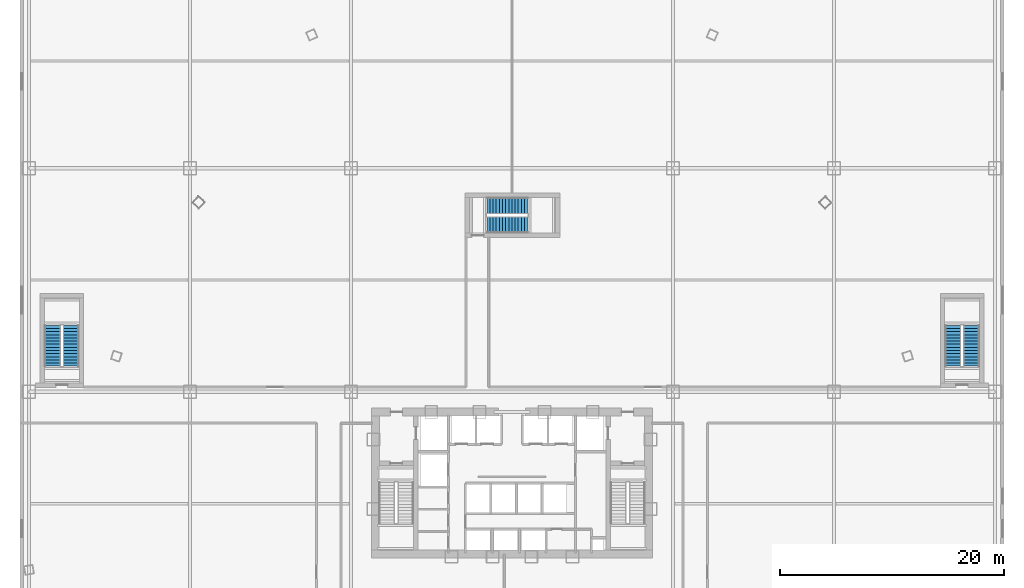
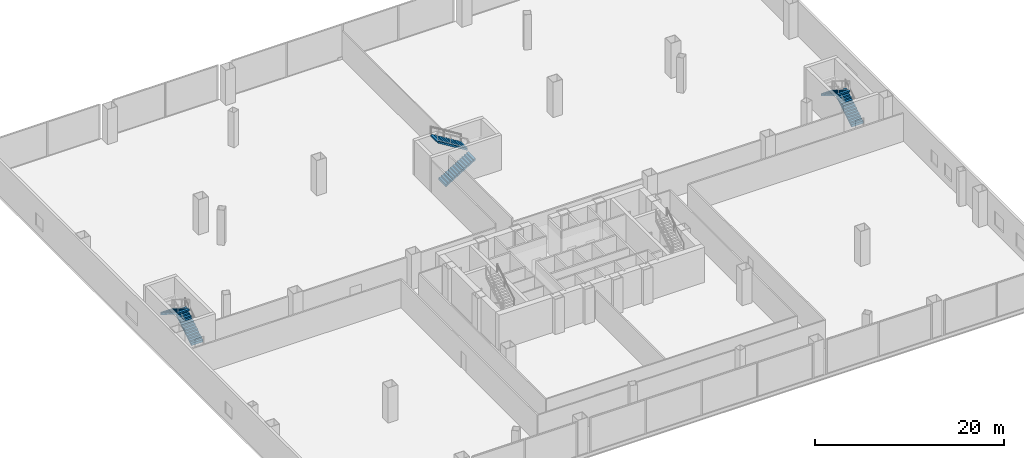
# One storey, part 36 of 40: 6 stair flights, 3 elements without a shape of their own.
"""IFC4 building model written with IfcOpenShell, lengths in metres."""

import ifcopenshell
import ifcopenshell.guid

model = None  # the IFC model being written
_history = None  # IfcOwnerHistory: only IFC2X3 demands one
_inside = {}  # id of a spatial element -> (the spatial element, [elements in it])
_under = {}  # id of a project, library or spatial element -> (it, [spatial elements below it])
_declared = {}  # id of a project -> (the project, [libraries it declares])
_typed = {}  # id of a type object -> (the type object, [elements of that type])
_made_of = {}  # id of a material, layer set ... -> (it, [elements and type objects made of it])


def new_model(schema):
    """Start an empty IFC model of exactly this schema.

    Asked for "IFC4X3", IfcOpenShell would pick the latest addendum, in which some entities
    have other attributes; the version numbers below select the first issue.
    IFC2X3 requires an IfcOwnerHistory on every rooted entity: one is made here for all.
    """
    global model, _history
    if schema == "IFC4X3":
        model = ifcopenshell.file(schema_version=(4, 3, 0, 0))
    else:
        model = ifcopenshell.file(schema=schema)
    _inside.clear()
    _under.clear()
    _declared.clear()
    _typed.clear()
    _made_of.clear()
    _history = None
    if model.schema == "IFC2X3":
        org = make("IfcOrganization", Name="unknown")
        user = make(
            "IfcPersonAndOrganization",
            ThePerson=make("IfcPerson", FamilyName="unknown"),
            TheOrganization=org,
        )
        app = make(
            "IfcApplication",
            ApplicationDeveloper=org,
            Version="unknown",
            ApplicationFullName="unknown",
            ApplicationIdentifier="unknown",
        )
        _history = make(
            "IfcOwnerHistory",
            OwningUser=user,
            OwningApplication=app,
            ChangeAction="ADDED",
            CreationDate=0,
        )
    return model


def make(cls, **values):
    """One entity of the class cls with the attributes given. An attribute that is None is left unset."""
    return model.create_entity(
        cls, **{name: value for name, value in values.items() if value is not None}
    )


def rooted(cls, **values):
    """An entity with a GlobalId (a new one), such as an element, a storey or a relation."""
    return make(cls, GlobalId=ifcopenshell.guid.new(), OwnerHistory=_history, **values)


def si_unit(unit_type, name, prefix=None):
    """IfcSIUnit, for example si_unit("LENGTHUNIT", "METRE", prefix="MILLI")."""
    return make("IfcSIUnit", UnitType=unit_type, Prefix=prefix, Name=name)


def assignment(units):
    """IfcUnitAssignment: the units of a project."""
    return None if units is None else make("IfcUnitAssignment", Units=units)


def point(xyz):
    """IfcCartesianPoint."""
    return None if xyz is None else make("IfcCartesianPoint", Coordinates=xyz)


def direction(xyz):
    """IfcDirection."""
    return None if xyz is None else make("IfcDirection", DirectionRatios=xyz)


def frame(location, z_axis=None, x_axis=None):
    """IfcAxis2Placement3D, a coordinate frame: its origin and axes. An axis left out is left unset."""
    return make(
        "IfcAxis2Placement3D",
        Location=point(location),
        Axis=direction(z_axis),
        RefDirection=direction(x_axis),
    )


def origin():
    """The frame at (0, 0, 0) with its axes left unset."""
    return frame((0.0, 0.0, 0.0))


def place(relative_to, where):
    """IfcLocalPlacement: puts the frame where relative to a parent placement (None: the world)."""
    return make(
        "IfcLocalPlacement", PlacementRelTo=relative_to, RelativePlacement=where
    )


def context(
    kind, dimensions, precision=None, world=None, true_north=None, identifier=None
):
    """IfcGeometricRepresentationContext, for example the 3D "Model" context."""
    return make(
        "IfcGeometricRepresentationContext",
        ContextIdentifier=identifier,
        ContextType=kind,
        CoordinateSpaceDimension=dimensions,
        Precision=precision,
        WorldCoordinateSystem=world,
        TrueNorth=true_north,
    )


def subcontext(parent, identifier, kind, view, scale=None):
    """IfcGeometricRepresentationSubContext, for example "Body" below "Model"."""
    return make(
        "IfcGeometricRepresentationSubContext",
        ContextIdentifier=identifier,
        ContextType=kind,
        ParentContext=parent,
        TargetScale=scale,
        TargetView=view,
    )


def project(units=None, contexts=None):
    """IfcProject with its units and contexts."""
    return rooted(
        "IfcProject",
        Name="project",
        RepresentationContexts=contexts,
        UnitsInContext=assignment(units),
    )


def spatial(cls, under=None, at=None, **own):
    """A site, building, storey or space (cls), placed at a placement, below another one or the project."""
    s = rooted(cls, ObjectPlacement=at, **own)
    if under is not None:
        _under.setdefault(under.id(), (under, []))[1].append(s)
    return s


def polyline(points):
    """IfcPolyline through the points."""
    return make("IfcPolyline", Points=[point(p) for p in points])


def outline(outer, holes=None, kind="AREA"):
    """IfcArbitraryClosedProfileDef: a profile drawn as a closed curve; with holes, ...WithVoids."""
    if holes is None:
        return make("IfcArbitraryClosedProfileDef", ProfileType=kind, OuterCurve=outer)
    return make(
        "IfcArbitraryProfileDefWithVoids",
        ProfileType=kind,
        OuterCurve=outer,
        InnerCurves=holes,
    )


def extrude(swept, where, along, depth):
    """IfcExtrudedAreaSolid: the profile swept, set in the frame where, extruded along a direction by depth."""
    return make(
        "IfcExtrudedAreaSolid",
        SweptArea=swept,
        Position=where,
        ExtrudedDirection=direction(along),
        Depth=depth,
    )


def shape(context_of_items, identifier, shape_type, items):
    """IfcShapeRepresentation: the items that make up one representation, for example the "Body"."""
    return make(
        "IfcShapeRepresentation",
        ContextOfItems=context_of_items,
        RepresentationIdentifier=identifier,
        RepresentationType=shape_type,
        Items=items,
    )


def source(mapping_origin, context_of_items, identifier, shape_type, items):
    """IfcRepresentationMap: a shape defined once, which mapped items show again and again."""
    return make(
        "IfcRepresentationMap",
        MappingOrigin=mapping_origin,
        MappedRepresentation=shape(context_of_items, identifier, shape_type, items),
    )


def transform(
    local_origin,
    x_axis=None,
    y_axis=None,
    z_axis=None,
    scale=None,
    scale2=None,
    scale3=None,
    uniform=True,
):
    """IfcCartesianTransformationOperator3D, or its non-uniform kind. x_axis, y_axis, z_axis: its Axis1, 2, 3."""
    if uniform:
        return make(
            "IfcCartesianTransformationOperator3D",
            Axis1=direction(x_axis),
            Axis2=direction(y_axis),
            LocalOrigin=point(local_origin),
            Scale=scale,
            Axis3=direction(z_axis),
        )
    return make(
        "IfcCartesianTransformationOperator3DnonUniform",
        Axis1=direction(x_axis),
        Axis2=direction(y_axis),
        LocalOrigin=point(local_origin),
        Scale=scale,
        Axis3=direction(z_axis),
        Scale2=scale2,
        Scale3=scale3,
    )


def mapped(mapping_source, mapping_target):
    """IfcMappedItem: shows the shape of a source again, moved by a transform."""
    return make(
        "IfcMappedItem", MappingSource=mapping_source, MappingTarget=mapping_target
    )


def material(Name=None, Category=None):
    """IfcMaterial."""
    return make("IfcMaterial", Name=Name, Category=Category)


def made_of(thing, what):
    """Note that an element or type object is made of a material, layer set ...; save() writes the relation."""
    if what is not None:
        _made_of.setdefault(what.id(), (what, []))[1].append(thing)
    return thing


def type_object(cls, material=None, **own):
    """A type object (cls), such as IfcWallType, which elements share."""
    return made_of(rooted(cls, **own), material)


def element(
    cls,
    number,
    at=None,
    inside=None,
    cuts=None,
    type_object=None,
    material=None,
    context=None,
    identifier="Body",
    shape_type=None,
    held_by="IfcProductDefinitionShape",
    body=None,
    shapes=None,
    **own,
):
    """One element of the class cls, such as IfcWall. Its Tag is "e" and its number.

    at: its placement. inside: the storey or other place that contains it. cuts: it is an
    opening in that element (IfcRelVoidsElement). A single representation is given by context,
    identifier, shape_type and body (its items); several are given by shapes. held_by: the class
    of the entity that holds the representations. save() writes the other relations.
    """
    e = rooted(cls, Tag="e%d" % number, ObjectPlacement=at, **own)
    if body is not None:
        shapes = [shape(context, identifier, shape_type, body)]
    if shapes is not None:
        e.Representation = make(held_by, Representations=shapes)
    if inside is not None:
        _inside.setdefault(inside.id(), (inside, []))[1].append(e)
    if cuts is not None:
        rooted(
            "IfcRelVoidsElement", RelatingBuildingElement=cuts, RelatedOpeningElement=e
        )
    if type_object is not None:
        _typed.setdefault(type_object.id(), (type_object, []))[1].append(e)
    return made_of(e, material)


def aggregate(whole, parts):
    """IfcRelAggregates: a whole, such as a stair, and the parts it consists of."""
    return rooted("IfcRelAggregates", RelatingObject=whole, RelatedObjects=parts)


def save(model, path):
    """Write the relations noted so far, then the file.

    IfcRelAggregates (storeys below a building ...), IfcRelContainedInSpatialStructure (elements
    in a storey), IfcRelDefinesByType, IfcRelAssociatesMaterial and IfcRelDeclares: one each for
    every whole, place, type object, material and project.
    """
    for whole, parts in _under.values():
        aggregate(whole, parts)
    for where, things in _inside.values():
        rooted(
            "IfcRelContainedInSpatialStructure",
            RelatedElements=things,
            RelatingStructure=where,
        )
    for kind, things in _typed.values():
        rooted("IfcRelDefinesByType", RelatedObjects=things, RelatingType=kind)
    for what, things in _made_of.values():
        rooted("IfcRelAssociatesMaterial", RelatedObjects=things, RelatingMaterial=what)
    for by, libraries in _declared.values():
        rooted("IfcRelDeclares", RelatingContext=by, RelatedDefinitions=libraries)
    model.write(path)


model = new_model("IFC4")

# Units and contexts
model_context = context("Model", 3, precision=1e-05, world=origin(), true_north=direction((0.0, 1.0)))
body_context = subcontext(model_context, "Body", "Model", "MODEL_VIEW")
ifc_project = project(units=[si_unit("LENGTHUNIT", "METRE"), si_unit("AREAUNIT", "SQUARE_METRE"), si_unit("VOLUMEUNIT", "CUBIC_METRE"), si_unit("PLANEANGLEUNIT", "RADIAN"), si_unit("MASSUNIT", "GRAM", prefix="KILO"), si_unit("THERMODYNAMICTEMPERATUREUNIT", "KELVIN"), si_unit("POWERUNIT", "WATT")], contexts=[model_context])

# Site, building, storey
site_placement = place(None, origin())
site = spatial("IfcSite", under=ifc_project, at=site_placement, CompositionType="ELEMENT")
building_placement = place(site_placement, origin())
building = spatial("IfcBuilding", under=site, at=building_placement, Name="Yunzhuo Pagoda Commons", CompositionType="ELEMENT")
storey_placement = place(building_placement, frame((0.0, 0.0, 14.39990234375)))
storey = spatial("IfcBuildingStorey", under=building, at=storey_placement, Name="L04", CompositionType="ELEMENT", Elevation=14.39990234375)

# Stair, stair flights
ifc_material = material(Name="Concrete C40", Category="concrete")
stair_type_1 = type_object("IfcStairType", Name="ST-P3 Podium Exit Stair PS3", PredefinedType="HALF_TURN_STAIR", material=ifc_material)
stair_1_placement = place(storey_placement, origin())
stair_1 = element("IfcStair", 1, at=stair_1_placement, inside=storey, type_object=stair_type_1, Name="L04 Podium exit stair PS3", PredefinedType="HALF_TURN_STAIR")
stair_flight_type_1 = type_object("IfcStairFlightType", Name="STF-P3 Podium Stair Flight 1455", PredefinedType="STRAIGHT", material=ifc_material)
shared_shape_1 = source(origin(), body_context, "Body", "SweptSolid", [
    extrude(outline(polyline([(0.0, -0.14990234375), (0.0, 0.0), (0.0, 0.17138671875), (0.280029296875, 0.17138671875), (0.280029296875, 0.3427734375), (0.56005859375, 0.3427734375), (0.56005859375, 0.514404296875), (0.840087890625, 0.514404296875), (0.840087890625, 0.685791015625), (1.1201171875, 0.685791015625), (1.1201171875, 0.857177734375), (1.39990234375, 0.857177734375), (1.39990234375, 1.028564453125), (1.679931640625, 1.028564453125), (1.679931640625, 1.199951171875), (1.9599609375, 1.199951171875), (1.9599609375, 1.371337890625), (2.239990234375, 1.371337890625), (2.239990234375, 1.54296875), (2.52001953125, 1.54296875), (2.52001953125, 1.71435546875), (2.800048828125, 1.71435546875), (2.800048828125, 1.8857421875), (3.080078125, 1.8857421875), (3.080078125, 2.05712890625), (3.360107421875, 2.05712890625), (3.360107421875, 2.228515625), (3.639892578125, 2.228515625), (3.639892578125, 2.39990234375), (3.639892578125, 2.052734375), (0.287109375, 0.0), (0.050048828125, -0.14990234375), (0.0, -0.14990234375)])), frame((0.0, 0.72509765625, 0.0), z_axis=(0.0, -1.0, 0.0), x_axis=(1.0, 0.0, 0.0)), (0.0, 0.0, 1.0), 1.449951171875),
])
stair_flight_1_placement = place(storey_placement, frame((8.574951171875, 44.300048828125, 0.0), z_axis=(0.0, 0.0, 1.0), x_axis=(0.0, 1.0, 0.0)))
stair_flight_1 = element("IfcStairFlight", 2, at=stair_flight_1_placement, type_object=stair_flight_type_1, Name="PS3 flight 1", NumberOfRisers=14, NumberOfTreads=13, PredefinedType="STRAIGHT", RiserHeight=0.171428571, TreadLength=0.28, context=body_context, shape_type="MappedRepresentation", body=[
    mapped(shared_shape_1, transform((0.0, 0.0, 0.0), scale=1.0)),
])
stair_flight_2_placement = place(storey_placement, frame((6.925048828125, 47.93994140625, 2.400146484375), z_axis=(0.0, 0.0, 1.0), x_axis=(0.0, -1.0, 0.0)))
stair_flight_2 = element("IfcStairFlight", 3, at=stair_flight_2_placement, type_object=stair_flight_type_1, Name="PS3 flight 2", NumberOfRisers=14, NumberOfTreads=13, PredefinedType="STRAIGHT", RiserHeight=0.171428571, TreadLength=0.28, context=body_context, shape_type="MappedRepresentation", body=[
    mapped(shared_shape_1, transform((0.0, 0.0, 0.0), scale=1.0)),
])
aggregate(stair_1, [stair_flight_1, stair_flight_2])

stair_type_2 = type_object("IfcStairType", Name="ST-P4 Podium Exit Stair PS4", PredefinedType="HALF_TURN_STAIR", material=ifc_material)
stair_2_placement = place(storey_placement, origin())
stair_2 = element("IfcStair", 4, at=stair_2_placement, inside=storey, type_object=stair_type_2, Name="L04 Podium exit stair PS4", PredefinedType="HALF_TURN_STAIR")
stair_flight_type_2 = type_object("IfcStairFlightType", Name="STF-P4 Podium Stair Flight 1465", PredefinedType="STRAIGHT", material=ifc_material)
stair_flight_3_placement = place(storey_placement, frame((89.074951171875, 44.300048828125, 0.0), z_axis=(0.0, 0.0, 1.0), x_axis=(0.0, 1.0, 0.0)))
stair_flight_3 = element("IfcStairFlight", 5, at=stair_flight_3_placement, type_object=stair_flight_type_2, Name="PS4 flight 1", NumberOfRisers=14, NumberOfTreads=13, PredefinedType="STRAIGHT", RiserHeight=0.171428571, TreadLength=0.28, context=body_context, shape_type="MappedRepresentation", body=[
    mapped(shared_shape_1, transform((0.0, 0.0, 0.0), scale=1.0)),
])
stair_flight_4_placement = place(storey_placement, frame((87.425048828125, 47.93994140625, 2.400146484375), z_axis=(0.0, 0.0, 1.0), x_axis=(0.0, -1.0, 0.0)))
stair_flight_4 = element("IfcStairFlight", 6, at=stair_flight_4_placement, type_object=stair_flight_type_2, Name="PS4 flight 2", NumberOfRisers=14, NumberOfTreads=13, PredefinedType="STRAIGHT", RiserHeight=0.171428571, TreadLength=0.28, context=body_context, shape_type="MappedRepresentation", body=[
    mapped(shared_shape_1, transform((0.0, 0.0, 0.0), scale=1.0)),
])
aggregate(stair_2, [stair_flight_3, stair_flight_4])

stair_type_3 = type_object("IfcStairType", Name="ST-C3 North Tower Smokeproof Stair ST3", PredefinedType="HALF_TURN_STAIR", material=ifc_material)
stair_3_placement = place(storey_placement, origin())
stair_3 = element("IfcStair", 7, at=stair_3_placement, inside=storey, type_object=stair_type_3, Name="L04 North tower smokeproof stair ST3", PredefinedType="HALF_TURN_STAIR")
stair_flight_type_3 = type_object("IfcStairFlightType", Name="STF-C3 North Stair Flight 1500", PredefinedType="STRAIGHT", material=ifc_material)
shared_shape_2 = source(origin(), body_context, "Body", "SweptSolid", [
    extrude(outline(polyline([(0.0, -0.14990234375), (0.0, 0.0), (0.0, 0.17138671875), (0.280029296875, 0.17138671875), (0.280029296875, 0.3427734375), (0.56005859375, 0.3427734375), (0.56005859375, 0.514404296875), (0.840087890625, 0.514404296875), (0.840087890625, 0.685791015625), (1.1201171875, 0.685791015625), (1.1201171875, 0.857177734375), (1.39990234375, 0.857177734375), (1.39990234375, 1.028564453125), (1.679931640625, 1.028564453125), (1.679931640625, 1.199951171875), (1.9599609375, 1.199951171875), (1.9599609375, 1.371337890625), (2.239990234375, 1.371337890625), (2.239990234375, 1.54296875), (2.52001953125, 1.54296875), (2.52001953125, 1.71435546875), (2.800048828125, 1.71435546875), (2.800048828125, 1.8857421875), (3.080078125, 1.8857421875), (3.080078125, 2.05712890625), (3.360107421875, 2.05712890625), (3.360107421875, 2.228515625), (3.639892578125, 2.228515625), (3.639892578125, 2.39990234375), (3.639892578125, 2.052734375), (0.287109375, 0.0), (0.050048828125, -0.14990234375), (0.0, -0.14990234375)])), frame((0.0, 0.75, 0.0), z_axis=(0.0, -1.0, 0.0), x_axis=(1.0, 0.0, 0.0)), (0.0, 0.0, 1.0), 1.5),
])
stair_flight_5_placement = place(storey_placement, frame((45.75, 56.949951171875, 0.0), z_axis=(0.0, 0.0, 1.0), x_axis=(1.0, 0.0, 0.0)))
stair_flight_5 = element("IfcStairFlight", 8, at=stair_flight_5_placement, type_object=stair_flight_type_3, Name="ST3 flight 1", NumberOfRisers=14, NumberOfTreads=13, PredefinedType="STRAIGHT", RiserHeight=0.171428571, TreadLength=0.28, context=body_context, shape_type="MappedRepresentation", body=[
    mapped(shared_shape_2, transform((0.0, 0.0, 0.0), scale=1.0)),
])
stair_flight_6_placement = place(storey_placement, frame((49.389892578125, 58.64990234375, 2.400146484375), z_axis=(0.0, 0.0, 1.0), x_axis=(-1.0, 0.0, 0.0)))
stair_flight_6 = element("IfcStairFlight", 9, at=stair_flight_6_placement, type_object=stair_flight_type_3, Name="ST3 flight 2", NumberOfRisers=14, NumberOfTreads=13, PredefinedType="STRAIGHT", RiserHeight=0.171428571, TreadLength=0.28, context=body_context, shape_type="MappedRepresentation", body=[
    mapped(shared_shape_2, transform((0.0, 0.0, 0.0), scale=1.0)),
])
aggregate(stair_3, [stair_flight_5, stair_flight_6])

save(model, "model.ifc")
